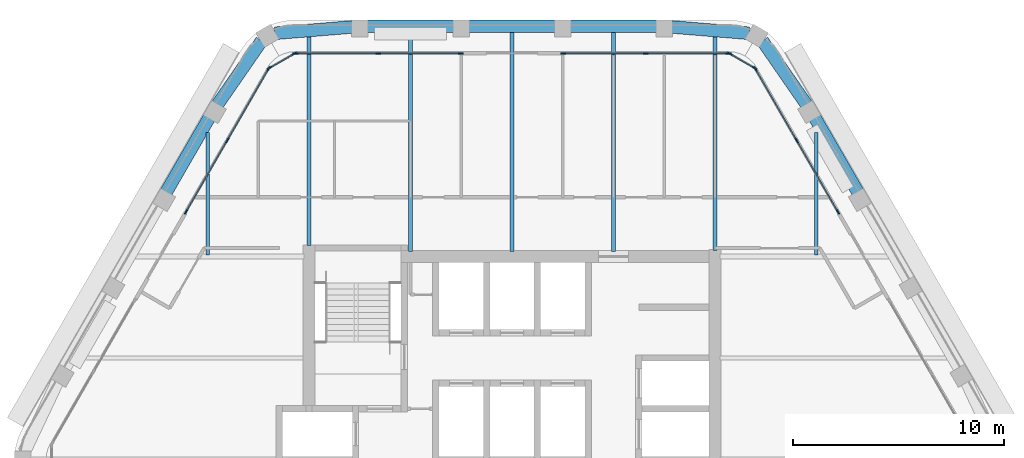
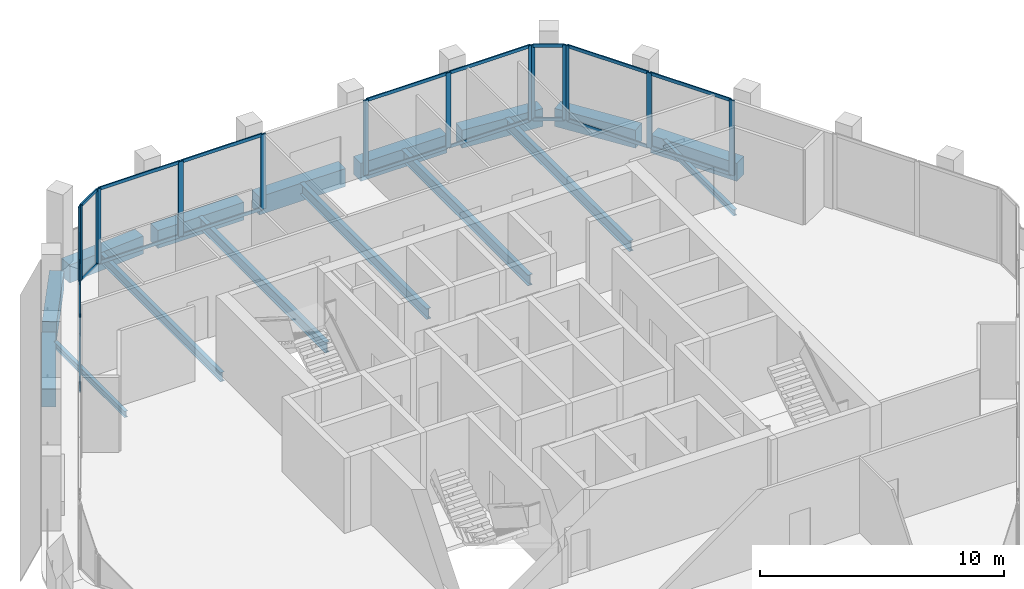
# One storey, part 5 of 13: 36 members, 16 beams, 6 elements without a shape of their own.
"""IFC4 building model written with IfcOpenShell, lengths in metres."""

import ifcopenshell
import ifcopenshell.guid

model = None  # the IFC model being written
_history = None  # IfcOwnerHistory: only IFC2X3 demands one
_inside = {}  # id of a spatial element -> (the spatial element, [elements in it])
_under = {}  # id of a project, library or spatial element -> (it, [spatial elements below it])
_declared = {}  # id of a project -> (the project, [libraries it declares])
_typed = {}  # id of a type object -> (the type object, [elements of that type])
_made_of = {}  # id of a material, layer set ... -> (it, [elements and type objects made of it])


def new_model(schema):
    """Start an empty IFC model of exactly this schema.

    Asked for "IFC4X3", IfcOpenShell would pick the latest addendum, in which some entities
    have other attributes; the version numbers below select the first issue.
    IFC2X3 requires an IfcOwnerHistory on every rooted entity: one is made here for all.
    """
    global model, _history
    if schema == "IFC4X3":
        model = ifcopenshell.file(schema_version=(4, 3, 0, 0))
    else:
        model = ifcopenshell.file(schema=schema)
    _inside.clear()
    _under.clear()
    _declared.clear()
    _typed.clear()
    _made_of.clear()
    _history = None
    if model.schema == "IFC2X3":
        org = make("IfcOrganization", Name="unknown")
        user = make(
            "IfcPersonAndOrganization",
            ThePerson=make("IfcPerson", FamilyName="unknown"),
            TheOrganization=org,
        )
        app = make(
            "IfcApplication",
            ApplicationDeveloper=org,
            Version="unknown",
            ApplicationFullName="unknown",
            ApplicationIdentifier="unknown",
        )
        _history = make(
            "IfcOwnerHistory",
            OwningUser=user,
            OwningApplication=app,
            ChangeAction="ADDED",
            CreationDate=0,
        )
    return model


def make(cls, **values):
    """One entity of the class cls with the attributes given. An attribute that is None is left unset."""
    return model.create_entity(
        cls, **{name: value for name, value in values.items() if value is not None}
    )


def rooted(cls, **values):
    """An entity with a GlobalId (a new one), such as an element, a storey or a relation."""
    return make(cls, GlobalId=ifcopenshell.guid.new(), OwnerHistory=_history, **values)


def si_unit(unit_type, name, prefix=None):
    """IfcSIUnit, for example si_unit("LENGTHUNIT", "METRE", prefix="MILLI")."""
    return make("IfcSIUnit", UnitType=unit_type, Prefix=prefix, Name=name)


def assignment(units):
    """IfcUnitAssignment: the units of a project."""
    return None if units is None else make("IfcUnitAssignment", Units=units)


def point(xyz):
    """IfcCartesianPoint."""
    return None if xyz is None else make("IfcCartesianPoint", Coordinates=xyz)


def direction(xyz):
    """IfcDirection."""
    return None if xyz is None else make("IfcDirection", DirectionRatios=xyz)


def frame(location, z_axis=None, x_axis=None):
    """IfcAxis2Placement3D, a coordinate frame: its origin and axes. An axis left out is left unset."""
    return make(
        "IfcAxis2Placement3D",
        Location=point(location),
        Axis=direction(z_axis),
        RefDirection=direction(x_axis),
    )


def frame_2d(location, x_axis=None):
    """IfcAxis2Placement2D, a coordinate frame in the plane: its origin and x axis."""
    return make(
        "IfcAxis2Placement2D", Location=point(location), RefDirection=direction(x_axis)
    )


def origin():
    """The frame at (0, 0, 0) with its axes left unset."""
    return frame((0.0, 0.0, 0.0))


def origin_2d():
    """The frame at (0, 0) in the plane with its x axis left unset."""
    return frame_2d((0.0, 0.0))


def place(relative_to, where):
    """IfcLocalPlacement: puts the frame where relative to a parent placement (None: the world)."""
    return make(
        "IfcLocalPlacement", PlacementRelTo=relative_to, RelativePlacement=where
    )


def context(
    kind, dimensions, precision=None, world=None, true_north=None, identifier=None
):
    """IfcGeometricRepresentationContext, for example the 3D "Model" context."""
    return make(
        "IfcGeometricRepresentationContext",
        ContextIdentifier=identifier,
        ContextType=kind,
        CoordinateSpaceDimension=dimensions,
        Precision=precision,
        WorldCoordinateSystem=world,
        TrueNorth=true_north,
    )


def subcontext(parent, identifier, kind, view, scale=None):
    """IfcGeometricRepresentationSubContext, for example "Body" below "Model"."""
    return make(
        "IfcGeometricRepresentationSubContext",
        ContextIdentifier=identifier,
        ContextType=kind,
        ParentContext=parent,
        TargetScale=scale,
        TargetView=view,
    )


def project(units=None, contexts=None):
    """IfcProject with its units and contexts."""
    return rooted(
        "IfcProject",
        Name="project",
        RepresentationContexts=contexts,
        UnitsInContext=assignment(units),
    )


def spatial(cls, under=None, at=None, **own):
    """A site, building, storey or space (cls), placed at a placement, below another one or the project."""
    s = rooted(cls, ObjectPlacement=at, **own)
    if under is not None:
        _under.setdefault(under.id(), (under, []))[1].append(s)
    return s


def profile(cls, at=None, kind="AREA", **sizes):
    """A parametric profile (cls). Its sizes go by their IFC names, for example OverallWidth=200.0."""
    return make(cls, ProfileType=kind, Position=at, **sizes)


def rectangle(**sizes):
    """IfcRectangleProfileDef."""
    return profile("IfcRectangleProfileDef", **sizes)


def i_section(**sizes):
    """IfcIShapeProfileDef."""
    return profile("IfcIShapeProfileDef", **sizes)


def extrude(swept, where, along, depth):
    """IfcExtrudedAreaSolid: the profile swept, set in the frame where, extruded along a direction by depth."""
    return make(
        "IfcExtrudedAreaSolid",
        SweptArea=swept,
        Position=where,
        ExtrudedDirection=direction(along),
        Depth=depth,
    )


def shape(context_of_items, identifier, shape_type, items):
    """IfcShapeRepresentation: the items that make up one representation, for example the "Body"."""
    return make(
        "IfcShapeRepresentation",
        ContextOfItems=context_of_items,
        RepresentationIdentifier=identifier,
        RepresentationType=shape_type,
        Items=items,
    )


def material(Name=None, Category=None):
    """IfcMaterial."""
    return make("IfcMaterial", Name=Name, Category=Category)


def material_profile(
    of_material, cross_section, Name=None, Category=None, Priority=None
):
    """IfcMaterialProfile: a cross section and its material."""
    return make(
        "IfcMaterialProfile",
        Name=Name,
        Material=of_material,
        Profile=cross_section,
        Priority=Priority,
        Category=Category,
    )


def profile_set(profiles, Name=None, composite=None):
    """IfcMaterialProfileSet."""
    return make(
        "IfcMaterialProfileSet",
        Name=Name,
        MaterialProfiles=profiles,
        CompositeProfile=composite,
    )


def made_of(thing, what):
    """Note that an element or type object is made of a material, layer set ...; save() writes the relation."""
    if what is not None:
        _made_of.setdefault(what.id(), (what, []))[1].append(thing)
    return thing


def type_object(cls, material=None, **own):
    """A type object (cls), such as IfcWallType, which elements share."""
    return made_of(rooted(cls, **own), material)


def element(
    cls,
    number,
    at=None,
    inside=None,
    cuts=None,
    type_object=None,
    material=None,
    context=None,
    identifier="Body",
    shape_type=None,
    held_by="IfcProductDefinitionShape",
    body=None,
    shapes=None,
    **own,
):
    """One element of the class cls, such as IfcWall. Its Tag is "e" and its number.

    at: its placement. inside: the storey or other place that contains it. cuts: it is an
    opening in that element (IfcRelVoidsElement). A single representation is given by context,
    identifier, shape_type and body (its items); several are given by shapes. held_by: the class
    of the entity that holds the representations. save() writes the other relations.
    """
    e = rooted(cls, Tag="e%d" % number, ObjectPlacement=at, **own)
    if body is not None:
        shapes = [shape(context, identifier, shape_type, body)]
    if shapes is not None:
        e.Representation = make(held_by, Representations=shapes)
    if inside is not None:
        _inside.setdefault(inside.id(), (inside, []))[1].append(e)
    if cuts is not None:
        rooted(
            "IfcRelVoidsElement", RelatingBuildingElement=cuts, RelatedOpeningElement=e
        )
    if type_object is not None:
        _typed.setdefault(type_object.id(), (type_object, []))[1].append(e)
    return made_of(e, material)


def aggregate(whole, parts):
    """IfcRelAggregates: a whole, such as a stair, and the parts it consists of."""
    return rooted("IfcRelAggregates", RelatingObject=whole, RelatedObjects=parts)


def save(model, path):
    """Write the relations noted so far, then the file.

    IfcRelAggregates (storeys below a building ...), IfcRelContainedInSpatialStructure (elements
    in a storey), IfcRelDefinesByType, IfcRelAssociatesMaterial and IfcRelDeclares: one each for
    every whole, place, type object, material and project.
    """
    for whole, parts in _under.values():
        aggregate(whole, parts)
    for where, things in _inside.values():
        rooted(
            "IfcRelContainedInSpatialStructure",
            RelatedElements=things,
            RelatingStructure=where,
        )
    for kind, things in _typed.values():
        rooted("IfcRelDefinesByType", RelatedObjects=things, RelatingType=kind)
    for what, things in _made_of.values():
        rooted("IfcRelAssociatesMaterial", RelatedObjects=things, RelatingMaterial=what)
    for by, libraries in _declared.values():
        rooted("IfcRelDeclares", RelatingContext=by, RelatedDefinitions=libraries)
    model.write(path)


model = new_model("IFC4")

# Units and contexts
model_context = context("Model", 3, precision=1e-05, world=origin(), true_north=direction((0.0, 1.0)))
body_context = subcontext(model_context, "Body", "Model", "MODEL_VIEW")
ifc_project = project(units=[si_unit("LENGTHUNIT", "METRE"), si_unit("AREAUNIT", "SQUARE_METRE"), si_unit("VOLUMEUNIT", "CUBIC_METRE"), si_unit("PLANEANGLEUNIT", "RADIAN"), si_unit("MASSUNIT", "GRAM", prefix="KILO")], contexts=[model_context])

# Site, building, storey
site_placement = place(None, origin())
site = spatial("IfcSite", under=ifc_project, at=site_placement, CompositionType="ELEMENT")
building_placement = place(site_placement, origin())
building = spatial("IfcBuilding", under=site, at=building_placement, Name="Kolab Exchange Tower", CompositionType="ELEMENT")
storey_placement = place(building_placement, frame((0.0, 0.0, 230.60009765625)))
storey = spatial("IfcBuildingStorey", under=building, at=storey_placement, Name="L50", CompositionType="ELEMENT", Elevation=230.60009765625)

# Beams
ifc_material_1 = material(Name="Steel S355", Category="steel")
ifc_material_profile_1 = material_profile(ifc_material_1, i_section(OverallWidth=0.1650390625, OverallDepth=0.31005859375, WebThickness=0.005859375, FlangeThickness=0.009765625, at=origin_2d()), Name="W310X39")
ifc_profile_set_1 = profile_set([ifc_material_profile_1], Name="Steel S355")
beam_type_1 = type_object("IfcBeamType", Name="FLOOR BEAM W310X39", PredefinedType="BEAM", material=ifc_profile_set_1)
for number, where, z_axis, x_axis, name in (
    (1, (-14.39990234375, 9.674072265625, -0.30517578125), (0.0, 1.0, 0.0), (-1.0, 0.0, 0.0), "beam/L50/fr/004"),
    (2, (14.39990234375, 9.674072265625, -0.30517578125), (0.0, 1.0, 0.0), (-1.0, 0.0, 0.0), "beam/L50/fr/019"),
):
    element("IfcBeam", number, at=place(storey_placement, frame(where, z_axis=z_axis, x_axis=x_axis)), inside=storey, type_object=beam_type_1, Name=name, PredefinedType="BEAM", context=body_context, shape_type="SweptSolid", body=[
        extrude(i_section(OverallWidth=0.1650390625, OverallDepth=0.31005859375, WebThickness=0.005859375, FlangeThickness=0.009765625, at=origin_2d()), origin(), (0.0, 0.0, 1.0), 5.793701171875),
    ])
ifc_material_profile_2 = material_profile(ifc_material_1, i_section(OverallWidth=0.18994140625, OverallDepth=0.45703125, WebThickness=0.009033203125, FlangeThickness=0.014404296875, at=origin_2d()), Name="W460X74")
ifc_profile_set_2 = profile_set([ifc_material_profile_2], Name="Steel S355")
beam_type_2 = type_object("IfcBeamType", Name="FLOOR BEAM W460X74", PredefinedType="BEAM", material=ifc_profile_set_2)
beam_1_placement = place(storey_placement, frame((-9.60009765625, 10.110107421875, -0.378662109375), z_axis=(0.0, 1.0, 0.0), x_axis=(-1.0, 0.0, 0.0)))
element("IfcBeam", 3, at=beam_1_placement, inside=storey, type_object=beam_type_2, Name="beam/L50/fr/006", PredefinedType="BEAM", context=body_context, shape_type="SweptSolid", body=[
    extrude(i_section(OverallWidth=0.18994140625, OverallDepth=0.45703125, WebThickness=0.009033203125, FlangeThickness=0.014404296875, at=origin_2d()), origin(), (0.0, 0.0, 1.0), 9.9169921875),
])
ifc_material_profile_3 = material_profile(ifc_material_1, i_section(OverallWidth=0.208984375, OverallDepth=0.532958984375, WebThickness=0.01025390625, FlangeThickness=0.015625, at=origin_2d()), Name="W530X92")
ifc_profile_set_3 = profile_set([ifc_material_profile_3], Name="Steel S355")
beam_type_3 = type_object("IfcBeamType", Name="FLOOR BEAM W530X92", PredefinedType="BEAM", material=ifc_profile_set_3)
for number, where, z_axis, x_axis, name in (
    (4, (-4.800048828125, 9.8349609375, -0.41650390625), (0.0, 1.0, 0.0), (-1.0, 0.0, 0.0), "beam/L50/fr/008"),
    (5, (0.0, 9.8349609375, -0.41650390625), (0.0, 1.0, 0.0), (-1.0, 0.0, 0.0), "beam/L50/fr/010"),
    (6, (4.800048828125, 9.8349609375, -0.41650390625), (0.0, 1.0, 0.0), (-1.0, 0.0, 0.0), "beam/L50/fr/012"),
):
    element("IfcBeam", number, at=place(storey_placement, frame(where, z_axis=z_axis, x_axis=x_axis)), inside=storey, type_object=beam_type_3, Name=name, PredefinedType="BEAM", context=body_context, shape_type="SweptSolid", body=[
        extrude(i_section(OverallWidth=0.208984375, OverallDepth=0.532958984375, WebThickness=0.01025390625, FlangeThickness=0.015625, at=origin_2d()), origin(), (0.0, 0.0, 1.0), 10.3896484375),
    ])
beam_2_placement = place(storey_placement, frame((9.60009765625, 9.885009765625, -0.41650390625), z_axis=(0.0, 1.0, 0.0), x_axis=(-1.0, 0.0, 0.0)))
element("IfcBeam", 7, at=beam_2_placement, inside=storey, type_object=beam_type_3, Name="beam/L50/fr/014", PredefinedType="BEAM", context=body_context, shape_type="SweptSolid", body=[
    extrude(i_section(OverallWidth=0.208984375, OverallDepth=0.532958984375, WebThickness=0.01025390625, FlangeThickness=0.015625, at=origin_2d()), origin(), (0.0, 0.0, 1.0), 10.14208984375),
])
ifc_material_2 = material(Name="Concrete C50/60", Category="concrete")
ifc_material_profile_4 = material_profile(ifc_material_2, rectangle(XDim=0.60009765625, YDim=0.89990234375, at=origin_2d()), Name="RC600X900")
ifc_profile_set_4 = profile_set([ifc_material_profile_4], Name="Concrete C50/60")
beam_type_4 = type_object("IfcBeamType", Name="SPANDREL BEAM 600X900 C50/60", PredefinedType="BEAM", material=ifc_profile_set_4)
beam_3_placement = place(storey_placement, frame((-11.216796875, 20.15576171875, -0.60009765625), z_axis=(0.996666751878, 0.081580547323, 0.0), x_axis=(-0.081580547323, 0.996666751878, 0.0)))
element("IfcBeam", 8, at=beam_3_placement, inside=storey, type_object=beam_type_4, Name="beam/L50/sp/F1-01", PredefinedType="BEAM", context=body_context, shape_type="SweptSolid", body=[
    extrude(rectangle(XDim=0.60009765625, YDim=0.89990234375, at=origin_2d()), origin(), (0.0, 0.0, 1.0), 3.6689453125),
])
for number, where, z_axis, x_axis, name in (
    (9, (-6.840087890625, 20.484619140625, -0.60009765625), (1.0, 0.0, 0.0), (0.0, 1.0, 0.0), "beam/L50/sp/F1-02"),
    (10, (-2.0400390625, 20.484619140625, -0.60009765625), (1.0, 0.0, 0.0), (0.0, 1.0, 0.0), "beam/L50/sp/F1-03"),
    (11, (2.760009765625, 20.484619140625, -0.60009765625), (1.0, 0.0, 0.0), (0.0, 1.0, 0.0), "beam/L50/sp/F1-04"),
):
    element("IfcBeam", number, at=place(storey_placement, frame(where, z_axis=z_axis, x_axis=x_axis)), inside=storey, type_object=beam_type_4, Name=name, PredefinedType="BEAM", context=body_context, shape_type="SweptSolid", body=[
        extrude(rectangle(XDim=0.60009765625, YDim=0.89990234375, at=origin_2d()), origin(), (0.0, 0.0, 1.0), 4.080078125),
    ])
for number, where, z_axis, x_axis, name in (
    (12, (7.56005859375, 20.455078125, -0.60009765625), (0.996666751878, -0.081580547323, 0.0), (0.081580547323, 0.996666751878, 0.0), "beam/L50/sp/F1-05"),
    (13, (11.846923828125, 19.7919921875, -0.60009765625), (0.569005808573, -0.822333502789, 0.0), (0.822333502789, 0.569005808573, 0.0), "beam/L50/sp/F2-01"),
):
    element("IfcBeam", number, at=place(storey_placement, frame(where, z_axis=z_axis, x_axis=x_axis)), inside=storey, type_object=beam_type_4, Name=name, PredefinedType="BEAM", context=body_context, shape_type="SweptSolid", body=[
        extrude(rectangle(XDim=0.60009765625, YDim=0.89990234375, at=origin_2d()), origin(), (0.0, 0.0, 1.0), 3.6689453125),
    ])
for number, where, z_axis, x_axis, name in (
    (14, (14.3203125, 16.166015625, -0.60009765625), (0.499955548806, -0.866051066172, 0.0), (0.866051066172, 0.499955548806, 0.0), "beam/L50/sp/F2-02"),
    (15, (-16.360107421875, 12.632568359375, -0.60009765625), (0.499955548806, 0.866051066172, 0.0), (-0.866051066172, 0.499955548806, 0.0), "beam/L50/sp/F6-04"),
):
    element("IfcBeam", number, at=place(storey_placement, frame(where, z_axis=z_axis, x_axis=x_axis)), inside=storey, type_object=beam_type_4, Name=name, PredefinedType="BEAM", context=body_context, shape_type="SweptSolid", body=[
        extrude(rectangle(XDim=0.60009765625, YDim=0.89990234375, at=origin_2d()), origin(), (0.0, 0.0, 1.0), 4.079833984375),
    ])
beam_4_placement = place(storey_placement, frame((-13.9345703125, 16.77490234375, -0.60009765625), z_axis=(0.569005808573, 0.822333502789, 0.0), x_axis=(-0.822333502789, 0.569005808573, 0.0)))
element("IfcBeam", 16, at=beam_4_placement, inside=storey, type_object=beam_type_4, Name="beam/L50/sp/F6-05", PredefinedType="BEAM", context=body_context, shape_type="SweptSolid", body=[
    extrude(rectangle(XDim=0.60009765625, YDim=0.89990234375, at=origin_2d()), origin(), (0.0, 0.0, 1.0), 3.6689453125),
])

# Curtain wall, members
ifc_material_3 = material(Name="Aluminium EN AW-6063 T6", Category="aluminium")
curtain_wall_type = type_object("IfcCurtainWallType", Name="UNITISED HIGH ZONE CURTAIN WALL", PredefinedType="NOTDEFINED", material=ifc_material_3)
curtain_wall_1_placement = place(storey_placement, origin())
curtain_wall_1 = element("IfcCurtainWall", 17, at=curtain_wall_1_placement, inside=storey, type_object=curtain_wall_type, Name="cw/L50/F1-1", PredefinedType="NOTDEFINED")
ifc_material_profile_5 = material_profile(ifc_material_3, rectangle(XDim=0.06005859375, YDim=0.239990234375, at=origin_2d()), Name="RECT 60X240")
ifc_profile_set_5 = profile_set([ifc_material_profile_5], Name="Aluminium EN AW-6063 T6")
member_type_1 = type_object("IfcMemberType", Name="UNITISED HIGH ZONE MULLION 60 X 240", PredefinedType="MULLION", material=ifc_profile_set_5)
member_1_placement = place(storey_placement, frame((-10.238037109375, 19.20458984375, 0.0), z_axis=(0.0, 0.0, 1.0), x_axis=(0.0, 1.0, 0.0)))
member_1 = element("IfcMember", 18, at=member_1_placement, type_object=member_type_1, Name="CW4 mullion 1", PredefinedType="MULLION", context=body_context, shape_type="SweptSolid", body=[
    extrude(rectangle(XDim=0.06005859375, YDim=0.239990234375, at=origin_2d()), origin(), (0.0, 0.0, 1.0), 3.75),
])
member_2_placement = place(storey_placement, frame((-6.333984375, 19.20458984375, 0.0), z_axis=(0.0, 0.0, 1.0), x_axis=(0.0, 1.0, 0.0)))
member_2 = element("IfcMember", 19, at=member_2_placement, type_object=member_type_1, Name="CW4 mullion 2", PredefinedType="MULLION", context=body_context, shape_type="SweptSolid", body=[
    extrude(rectangle(XDim=0.06005859375, YDim=0.239990234375, at=origin_2d()), origin(), (0.0, 0.0, 1.0), 3.75),
])
member_3_placement = place(storey_placement, frame((-2.429931640625, 19.20458984375, 0.0), z_axis=(0.0, 0.0, 1.0), x_axis=(0.0, 1.0, 0.0)))
member_3 = element("IfcMember", 20, at=member_3_placement, type_object=member_type_1, Name="CW4 mullion 3", PredefinedType="MULLION", context=body_context, shape_type="SweptSolid", body=[
    extrude(rectangle(XDim=0.06005859375, YDim=0.239990234375, at=origin_2d()), origin(), (0.0, 0.0, 1.0), 3.75),
])

curtain_wall_2_placement = place(storey_placement, origin())
curtain_wall_2 = element("IfcCurtainWall", 21, at=curtain_wall_2_placement, inside=storey, type_object=curtain_wall_type, Name="cw/L50/F1-2", PredefinedType="NOTDEFINED")
member_4_placement = place(storey_placement, frame((2.429931640625, 19.20458984375, 0.0), z_axis=(0.0, 0.0, 1.0), x_axis=(0.0, 1.0, 0.0)))
member_4 = element("IfcMember", 22, at=member_4_placement, type_object=member_type_1, Name="CW4 mullion 1", PredefinedType="MULLION", context=body_context, shape_type="SweptSolid", body=[
    extrude(rectangle(XDim=0.06005859375, YDim=0.239990234375, at=origin_2d()), origin(), (0.0, 0.0, 1.0), 3.75),
])
member_5_placement = place(storey_placement, frame((6.333984375, 19.20458984375, 0.0), z_axis=(0.0, 0.0, 1.0), x_axis=(0.0, 1.0, 0.0)))
member_5 = element("IfcMember", 23, at=member_5_placement, type_object=member_type_1, Name="CW4 mullion 2", PredefinedType="MULLION", context=body_context, shape_type="SweptSolid", body=[
    extrude(rectangle(XDim=0.06005859375, YDim=0.239990234375, at=origin_2d()), origin(), (0.0, 0.0, 1.0), 3.75),
])
member_6_placement = place(storey_placement, frame((10.238037109375, 19.20458984375, 0.0), z_axis=(0.0, 0.0, 1.0), x_axis=(0.0, 1.0, 0.0)))
member_6 = element("IfcMember", 24, at=member_6_placement, type_object=member_type_1, Name="CW4 mullion 3", PredefinedType="MULLION", context=body_context, shape_type="SweptSolid", body=[
    extrude(rectangle(XDim=0.06005859375, YDim=0.239990234375, at=origin_2d()), origin(), (0.0, 0.0, 1.0), 3.75),
])

curtain_wall_3_placement = place(storey_placement, origin())
curtain_wall_3 = element("IfcCurtainWall", 25, at=curtain_wall_3_placement, inside=storey, type_object=curtain_wall_type, Name="cw/L50/F2-1", PredefinedType="NOTDEFINED")
member_7_placement = place(storey_placement, frame((11.5126953125, 18.46875, 0.0), z_axis=(0.0, 0.0, 1.0), x_axis=(0.866025385493, 0.500000031681, 0.0)))
member_7 = element("IfcMember", 26, at=member_7_placement, type_object=member_type_1, Name="CW4 mullion 1", PredefinedType="MULLION", context=body_context, shape_type="SweptSolid", body=[
    extrude(rectangle(XDim=0.06005859375, YDim=0.239990234375, at=origin_2d()), origin(), (0.0, 0.0, 1.0), 3.75),
])
member_8_placement = place(storey_placement, frame((13.464599609375, 15.087646484375, 0.0), z_axis=(0.0, 0.0, 1.0), x_axis=(0.866025385493, 0.500000031681, 0.0)))
member_8 = element("IfcMember", 27, at=member_8_placement, type_object=member_type_1, Name="CW4 mullion 2", PredefinedType="MULLION", context=body_context, shape_type="SweptSolid", body=[
    extrude(rectangle(XDim=0.06005859375, YDim=0.239990234375, at=origin_2d()), origin(), (0.0, 0.0, 1.0), 3.75),
])
member_9_placement = place(storey_placement, frame((15.416748046875, 11.706787109375, 0.0), z_axis=(0.0, 0.0, 1.0), x_axis=(0.866025385493, 0.500000031681, 0.0)))
member_9 = element("IfcMember", 28, at=member_9_placement, type_object=member_type_1, Name="CW4 mullion 3", PredefinedType="MULLION", context=body_context, shape_type="SweptSolid", body=[
    extrude(rectangle(XDim=0.06005859375, YDim=0.239990234375, at=origin_2d()), origin(), (0.0, 0.0, 1.0), 3.75),
])

curtain_wall_4_placement = place(storey_placement, origin())
curtain_wall_4 = element("IfcCurtainWall", 29, at=curtain_wall_4_placement, inside=storey, type_object=curtain_wall_type, Name="cw/L50/F6-2", PredefinedType="NOTDEFINED")
member_10_placement = place(storey_placement, frame((-15.416748046875, 11.706787109375, 0.0), z_axis=(0.0, 0.0, 1.0), x_axis=(-0.866025385493, 0.500000031681, 0.0)))
member_10 = element("IfcMember", 30, at=member_10_placement, type_object=member_type_1, Name="CW4 mullion 1", PredefinedType="MULLION", context=body_context, shape_type="SweptSolid", body=[
    extrude(rectangle(XDim=0.06005859375, YDim=0.239990234375, at=origin_2d()), origin(), (0.0, 0.0, 1.0), 3.75),
])
member_11_placement = place(storey_placement, frame((-13.464599609375, 15.087646484375, 0.0), z_axis=(0.0, 0.0, 1.0), x_axis=(-0.866025385493, 0.500000031681, 0.0)))
member_11 = element("IfcMember", 31, at=member_11_placement, type_object=member_type_1, Name="CW4 mullion 2", PredefinedType="MULLION", context=body_context, shape_type="SweptSolid", body=[
    extrude(rectangle(XDim=0.06005859375, YDim=0.239990234375, at=origin_2d()), origin(), (0.0, 0.0, 1.0), 3.75),
])
member_12_placement = place(storey_placement, frame((-11.5126953125, 18.46875, 0.0), z_axis=(0.0, 0.0, 1.0), x_axis=(-0.866025385493, 0.500000031681, 0.0)))
member_12 = element("IfcMember", 32, at=member_12_placement, type_object=member_type_1, Name="CW4 mullion 3", PredefinedType="MULLION", context=body_context, shape_type="SweptSolid", body=[
    extrude(rectangle(XDim=0.06005859375, YDim=0.239990234375, at=origin_2d()), origin(), (0.0, 0.0, 1.0), 3.75),
])

curtain_wall_5_placement = place(storey_placement, origin())
curtain_wall_5 = element("IfcCurtainWall", 33, at=curtain_wall_5_placement, inside=storey, type_object=curtain_wall_type, Name="cw/L50/F1F2-corner", PredefinedType="NOTDEFINED")
member_13_placement = place(storey_placement, frame((10.2939453125, 19.189697265625, 0.0), z_axis=(0.0, 0.0, 1.0), x_axis=(0.50000002237, 0.866025390869, 0.0)))
member_13 = element("IfcMember", 34, at=member_13_placement, type_object=member_type_1, Name="CW4 mullion 1", PredefinedType="MULLION", context=body_context, shape_type="SweptSolid", body=[
    extrude(rectangle(XDim=0.06005859375, YDim=0.239990234375, at=origin_2d()), origin(), (0.0, 0.0, 1.0), 3.75),
])
member_14_placement = place(storey_placement, frame((11.4716796875, 18.509521484375, 0.0), z_axis=(0.0, 0.0, 1.0), x_axis=(0.50000002237, 0.866025390869, 0.0)))
member_14 = element("IfcMember", 35, at=member_14_placement, type_object=member_type_1, Name="CW4 mullion 2", PredefinedType="MULLION", context=body_context, shape_type="SweptSolid", body=[
    extrude(rectangle(XDim=0.06005859375, YDim=0.239990234375, at=origin_2d()), origin(), (0.0, 0.0, 1.0), 3.75),
])

curtain_wall_6_placement = place(storey_placement, origin())
curtain_wall_6 = element("IfcCurtainWall", 36, at=curtain_wall_6_placement, inside=storey, type_object=curtain_wall_type, Name="cw/L50/F6F1-corner", PredefinedType="NOTDEFINED")
member_15_placement = place(storey_placement, frame((-11.4716796875, 18.509521484375, 0.0), z_axis=(0.0, 0.0, 1.0), x_axis=(-0.50000002237, 0.866025390869, 0.0)))
member_15 = element("IfcMember", 37, at=member_15_placement, type_object=member_type_1, Name="CW4 mullion 1", PredefinedType="MULLION", context=body_context, shape_type="SweptSolid", body=[
    extrude(rectangle(XDim=0.06005859375, YDim=0.239990234375, at=origin_2d()), origin(), (0.0, 0.0, 1.0), 3.75),
])
member_16_placement = place(storey_placement, frame((-10.2939453125, 19.189697265625, 0.0), z_axis=(0.0, 0.0, 1.0), x_axis=(-0.50000002237, 0.866025390869, 0.0)))
member_16 = element("IfcMember", 38, at=member_16_placement, type_object=member_type_1, Name="CW4 mullion 2", PredefinedType="MULLION", context=body_context, shape_type="SweptSolid", body=[
    extrude(rectangle(XDim=0.06005859375, YDim=0.239990234375, at=origin_2d()), origin(), (0.0, 0.0, 1.0), 3.75),
])

# Member
ifc_material_profile_6 = material_profile(ifc_material_3, rectangle(XDim=0.06005859375, YDim=0.159912109375, at=origin_2d()), Name="RECT 60X160")
ifc_profile_set_6 = profile_set([ifc_material_profile_6], Name="Aluminium EN AW-6063 T6")
member_type_2 = type_object("IfcMemberType", Name="UNITISED HIGH ZONE TRANSOM 60 X 160", PredefinedType="USERDEFINED", material=ifc_profile_set_6)
member_17_placement = place(storey_placement, frame((-10.2080078125, 19.20458984375, 0.02978515625), z_axis=(1.0, 0.0, 0.0), x_axis=(0.0, 1.0, 0.0)))
member_17 = element("IfcMember", 39, at=member_17_placement, type_object=member_type_2, Name="CW4 transom 1.1", ObjectType="TRANSOM", PredefinedType="USERDEFINED", context=body_context, shape_type="SweptSolid", body=[
    extrude(rectangle(XDim=0.06005859375, YDim=0.159912109375, at=origin_2d()), origin(), (0.0, 0.0, 1.0), 3.843994140625),
])

member_18_placement = place(storey_placement, frame((-10.2080078125, 19.20458984375, 3.719970703125), z_axis=(1.0, 0.0, 0.0), x_axis=(0.0, 1.0, 0.0)))
member_18 = element("IfcMember", 40, at=member_18_placement, type_object=member_type_2, Name="CW4 transom 1.2", ObjectType="TRANSOM", PredefinedType="USERDEFINED", context=body_context, shape_type="SweptSolid", body=[
    extrude(rectangle(XDim=0.06005859375, YDim=0.159912109375, at=origin_2d()), origin(), (0.0, 0.0, 1.0), 3.843994140625),
])

member_19_placement = place(storey_placement, frame((-6.303955078125, 19.20458984375, 0.02978515625), z_axis=(1.0, 0.0, 0.0), x_axis=(0.0, 1.0, 0.0)))
member_19 = element("IfcMember", 41, at=member_19_placement, type_object=member_type_2, Name="CW4 transom 2.1", ObjectType="TRANSOM", PredefinedType="USERDEFINED", context=body_context, shape_type="SweptSolid", body=[
    extrude(rectangle(XDim=0.06005859375, YDim=0.159912109375, at=origin_2d()), origin(), (0.0, 0.0, 1.0), 3.843994140625),
])

member_20_placement = place(storey_placement, frame((-6.303955078125, 19.20458984375, 3.719970703125), z_axis=(1.0, 0.0, 0.0), x_axis=(0.0, 1.0, 0.0)))
member_20 = element("IfcMember", 42, at=member_20_placement, type_object=member_type_2, Name="CW4 transom 2.2", ObjectType="TRANSOM", PredefinedType="USERDEFINED", context=body_context, shape_type="SweptSolid", body=[
    extrude(rectangle(XDim=0.06005859375, YDim=0.159912109375, at=origin_2d()), origin(), (0.0, 0.0, 1.0), 3.843994140625),
])

aggregate(curtain_wall_1, [member_1, member_2, member_3, member_17, member_18, member_19, member_20])

member_21_placement = place(storey_placement, frame((2.4599609375, 19.20458984375, 0.02978515625), z_axis=(1.0, 0.0, 0.0), x_axis=(0.0, 1.0, 0.0)))
member_21 = element("IfcMember", 43, at=member_21_placement, type_object=member_type_2, Name="CW4 transom 1.1", ObjectType="TRANSOM", PredefinedType="USERDEFINED", context=body_context, shape_type="SweptSolid", body=[
    extrude(rectangle(XDim=0.06005859375, YDim=0.159912109375, at=origin_2d()), origin(), (0.0, 0.0, 1.0), 3.843994140625),
])

member_22_placement = place(storey_placement, frame((2.4599609375, 19.20458984375, 3.719970703125), z_axis=(1.0, 0.0, 0.0), x_axis=(0.0, 1.0, 0.0)))
member_22 = element("IfcMember", 44, at=member_22_placement, type_object=member_type_2, Name="CW4 transom 1.2", ObjectType="TRANSOM", PredefinedType="USERDEFINED", context=body_context, shape_type="SweptSolid", body=[
    extrude(rectangle(XDim=0.06005859375, YDim=0.159912109375, at=origin_2d()), origin(), (0.0, 0.0, 1.0), 3.843994140625),
])

member_23_placement = place(storey_placement, frame((6.364013671875, 19.20458984375, 0.02978515625), z_axis=(1.0, 0.0, 0.0), x_axis=(0.0, 1.0, 0.0)))
member_23 = element("IfcMember", 45, at=member_23_placement, type_object=member_type_2, Name="CW4 transom 2.1", ObjectType="TRANSOM", PredefinedType="USERDEFINED", context=body_context, shape_type="SweptSolid", body=[
    extrude(rectangle(XDim=0.06005859375, YDim=0.159912109375, at=origin_2d()), origin(), (0.0, 0.0, 1.0), 3.843994140625),
])

member_24_placement = place(storey_placement, frame((6.364013671875, 19.20458984375, 3.719970703125), z_axis=(1.0, 0.0, 0.0), x_axis=(0.0, 1.0, 0.0)))
member_24 = element("IfcMember", 46, at=member_24_placement, type_object=member_type_2, Name="CW4 transom 2.2", ObjectType="TRANSOM", PredefinedType="USERDEFINED", context=body_context, shape_type="SweptSolid", body=[
    extrude(rectangle(XDim=0.06005859375, YDim=0.159912109375, at=origin_2d()), origin(), (0.0, 0.0, 1.0), 3.843994140625),
])

aggregate(curtain_wall_2, [member_4, member_5, member_6, member_21, member_22, member_23, member_24])

member_25_placement = place(storey_placement, frame((11.527587890625, 18.442626953125, 0.02978515625), z_axis=(0.500039492609, -0.866002601515, 0.0), x_axis=(0.866002601515, 0.500039492609, 0.0)))
member_25 = element("IfcMember", 47, at=member_25_placement, type_object=member_type_2, Name="CW4 transom 1.1", ObjectType="TRANSOM", PredefinedType="USERDEFINED", context=body_context, shape_type="SweptSolid", body=[
    extrude(rectangle(XDim=0.06005859375, YDim=0.159912109375, at=origin_2d()), origin(), (0.0, 0.0, 1.0), 3.843994140625),
])

member_26_placement = place(storey_placement, frame((11.527587890625, 18.442626953125, 3.719970703125), z_axis=(0.500039492609, -0.866002601515, 0.0), x_axis=(0.866002601515, 0.500039492609, 0.0)))
member_26 = element("IfcMember", 48, at=member_26_placement, type_object=member_type_2, Name="CW4 transom 1.2", ObjectType="TRANSOM", PredefinedType="USERDEFINED", context=body_context, shape_type="SweptSolid", body=[
    extrude(rectangle(XDim=0.06005859375, YDim=0.159912109375, at=origin_2d()), origin(), (0.0, 0.0, 1.0), 3.843994140625),
])

member_27_placement = place(storey_placement, frame((13.479736328125, 15.061767578125, 0.02978515625), z_axis=(0.499964356602, -0.866045981532, 0.0), x_axis=(0.866045981532, 0.499964356602, 0.0)))
member_27 = element("IfcMember", 49, at=member_27_placement, type_object=member_type_2, Name="CW4 transom 2.1", ObjectType="TRANSOM", PredefinedType="USERDEFINED", context=body_context, shape_type="SweptSolid", body=[
    extrude(rectangle(XDim=0.06005859375, YDim=0.159912109375, at=origin_2d()), origin(), (0.0, 0.0, 1.0), 3.843994140625),
])

member_28_placement = place(storey_placement, frame((13.479736328125, 15.061767578125, 3.719970703125), z_axis=(0.499964356602, -0.866045981532, 0.0), x_axis=(0.866045981532, 0.499964356602, 0.0)))
member_28 = element("IfcMember", 50, at=member_28_placement, type_object=member_type_2, Name="CW4 transom 2.2", ObjectType="TRANSOM", PredefinedType="USERDEFINED", context=body_context, shape_type="SweptSolid", body=[
    extrude(rectangle(XDim=0.06005859375, YDim=0.159912109375, at=origin_2d()), origin(), (0.0, 0.0, 1.0), 3.843994140625),
])

aggregate(curtain_wall_3, [member_7, member_8, member_9, member_25, member_26, member_27, member_28])

member_29_placement = place(storey_placement, frame((-15.401611328125, 11.732666015625, 0.02978515625), z_axis=(0.499964356602, 0.866045981532, 0.0), x_axis=(-0.866045981532, 0.499964356602, 0.0)))
member_29 = element("IfcMember", 51, at=member_29_placement, type_object=member_type_2, Name="CW4 transom 1.1", ObjectType="TRANSOM", PredefinedType="USERDEFINED", context=body_context, shape_type="SweptSolid", body=[
    extrude(rectangle(XDim=0.06005859375, YDim=0.159912109375, at=origin_2d()), origin(), (0.0, 0.0, 1.0), 3.843994140625),
])

member_30_placement = place(storey_placement, frame((-15.401611328125, 11.732666015625, 3.719970703125), z_axis=(0.499964356602, 0.866045981532, 0.0), x_axis=(-0.866045981532, 0.499964356602, 0.0)))
member_30 = element("IfcMember", 52, at=member_30_placement, type_object=member_type_2, Name="CW4 transom 1.2", ObjectType="TRANSOM", PredefinedType="USERDEFINED", context=body_context, shape_type="SweptSolid", body=[
    extrude(rectangle(XDim=0.06005859375, YDim=0.159912109375, at=origin_2d()), origin(), (0.0, 0.0, 1.0), 3.843994140625),
])

member_31_placement = place(storey_placement, frame((-13.44970703125, 15.11376953125, 0.02978515625), z_axis=(0.500039492609, 0.866002601515, 0.0), x_axis=(-0.866002601515, 0.500039492609, 0.0)))
member_31 = element("IfcMember", 53, at=member_31_placement, type_object=member_type_2, Name="CW4 transom 2.1", ObjectType="TRANSOM", PredefinedType="USERDEFINED", context=body_context, shape_type="SweptSolid", body=[
    extrude(rectangle(XDim=0.06005859375, YDim=0.159912109375, at=origin_2d()), origin(), (0.0, 0.0, 1.0), 3.843994140625),
])

member_32_placement = place(storey_placement, frame((-13.44970703125, 15.11376953125, 3.719970703125), z_axis=(0.500039492609, 0.866002601515, 0.0), x_axis=(-0.866002601515, 0.500039492609, 0.0)))
member_32 = element("IfcMember", 54, at=member_32_placement, type_object=member_type_2, Name="CW4 transom 2.2", ObjectType="TRANSOM", PredefinedType="USERDEFINED", context=body_context, shape_type="SweptSolid", body=[
    extrude(rectangle(XDim=0.06005859375, YDim=0.159912109375, at=origin_2d()), origin(), (0.0, 0.0, 1.0), 3.843994140625),
])

aggregate(curtain_wall_4, [member_10, member_11, member_12, member_29, member_30, member_31, member_32])

member_33_placement = place(storey_placement, frame((10.31982421875, 19.174560546875, 0.02978515625), z_axis=(0.866085525409, -0.49989585183, 0.0), x_axis=(0.49989585183, 0.866085525409, 0.0)))
member_33 = element("IfcMember", 55, at=member_33_placement, type_object=member_type_2, Name="CW4 transom 1.1", ObjectType="TRANSOM", PredefinedType="USERDEFINED", context=body_context, shape_type="SweptSolid", body=[
    extrude(rectangle(XDim=0.06005859375, YDim=0.159912109375, at=origin_2d()), origin(), (0.0, 0.0, 1.0), 1.300048828125),
])

member_34_placement = place(storey_placement, frame((10.31982421875, 19.174560546875, 3.719970703125), z_axis=(0.866085525409, -0.49989585183, 0.0), x_axis=(0.49989585183, 0.866085525409, 0.0)))
member_34 = element("IfcMember", 56, at=member_34_placement, type_object=member_type_2, Name="CW4 transom 1.2", ObjectType="TRANSOM", PredefinedType="USERDEFINED", context=body_context, shape_type="SweptSolid", body=[
    extrude(rectangle(XDim=0.06005859375, YDim=0.159912109375, at=origin_2d()), origin(), (0.0, 0.0, 1.0), 1.300048828125),
])

aggregate(curtain_wall_5, [member_13, member_14, member_33, member_34])

member_35_placement = place(storey_placement, frame((-11.44580078125, 18.524658203125, 0.02978515625), z_axis=(0.866085525409, 0.49989585183, 0.0), x_axis=(-0.49989585183, 0.866085525409, 0.0)))
member_35 = element("IfcMember", 57, at=member_35_placement, type_object=member_type_2, Name="CW4 transom 1.1", ObjectType="TRANSOM", PredefinedType="USERDEFINED", context=body_context, shape_type="SweptSolid", body=[
    extrude(rectangle(XDim=0.06005859375, YDim=0.159912109375, at=origin_2d()), origin(), (0.0, 0.0, 1.0), 1.300048828125),
])

member_36_placement = place(storey_placement, frame((-11.44580078125, 18.524658203125, 3.719970703125), z_axis=(0.866085525409, 0.49989585183, 0.0), x_axis=(-0.49989585183, 0.866085525409, 0.0)))
member_36 = element("IfcMember", 58, at=member_36_placement, type_object=member_type_2, Name="CW4 transom 1.2", ObjectType="TRANSOM", PredefinedType="USERDEFINED", context=body_context, shape_type="SweptSolid", body=[
    extrude(rectangle(XDim=0.06005859375, YDim=0.159912109375, at=origin_2d()), origin(), (0.0, 0.0, 1.0), 1.300048828125),
])

aggregate(curtain_wall_6, [member_15, member_16, member_35, member_36])

save(model, "model.ifc")
